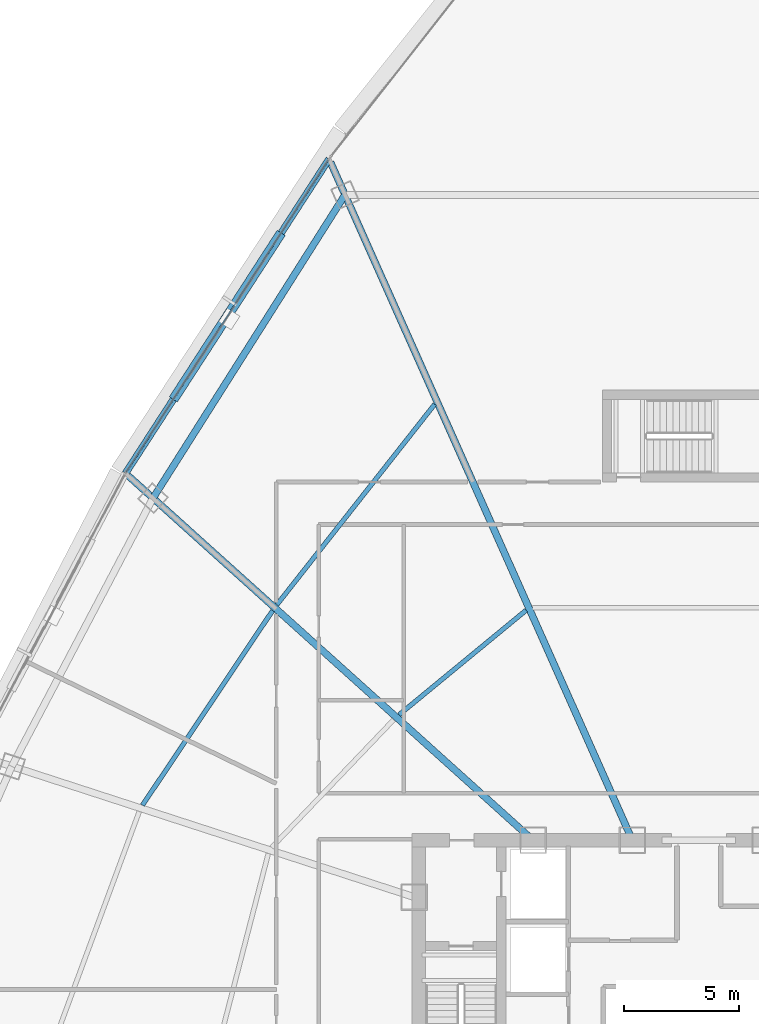
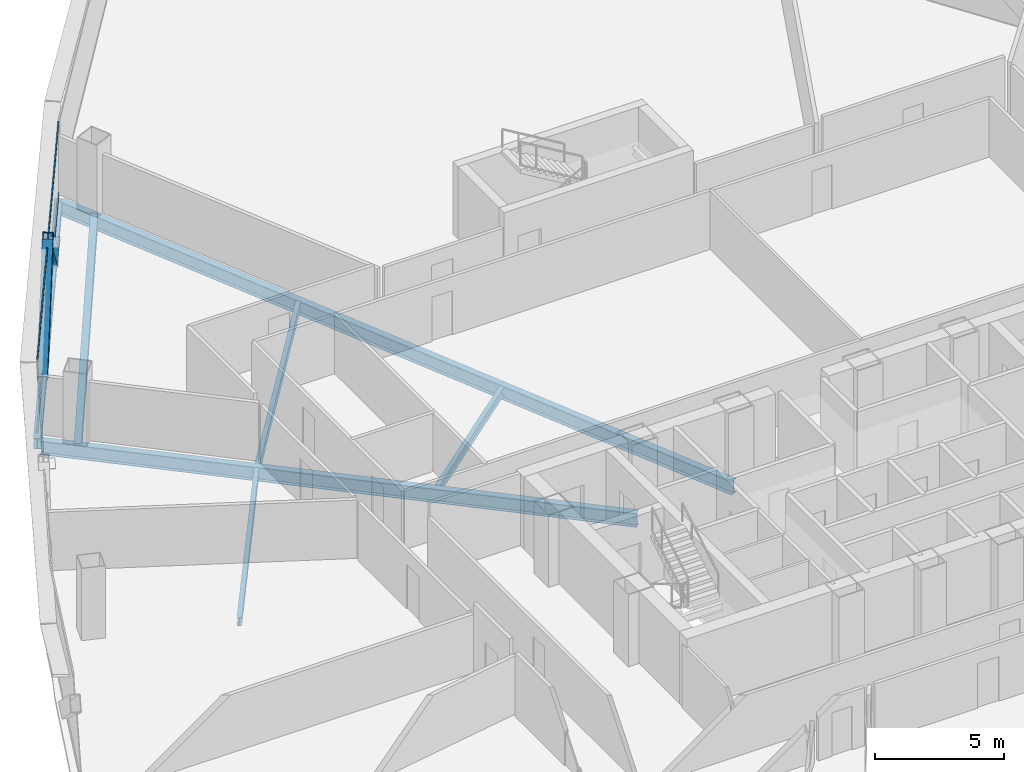
# One storey, part 17 of 39: 7 beams, 4 members, 1 element without a shape of its own.
"""IFC4 building model written with IfcOpenShell, lengths in metres."""

from ifc_helpers import new_model, si_unit, direction, frame, origin, origin_2d, place, context, subcontext, project, spatial, hollow_rectangle, i_section, extrude, source, transform, mapped, material, layer, layer_set, material_profile, profile_set, type_object, element, aggregate, save


model = new_model("IFC4")

# Units and contexts
model_context = context("Model", 3, precision=1e-05, world=origin(), true_north=direction((0.0, 1.0)))
body_context = subcontext(model_context, "Body", "Model", "MODEL_VIEW")
ifc_project = project(units=[si_unit("LENGTHUNIT", "METRE"), si_unit("AREAUNIT", "SQUARE_METRE"), si_unit("VOLUMEUNIT", "CUBIC_METRE"), si_unit("PLANEANGLEUNIT", "RADIAN"), si_unit("MASSUNIT", "GRAM", prefix="KILO"), si_unit("THERMODYNAMICTEMPERATUREUNIT", "KELVIN"), si_unit("POWERUNIT", "WATT")], contexts=[model_context])

# Site, building, storey
site_placement = place(None, origin())
site = spatial("IfcSite", under=ifc_project, at=site_placement, CompositionType="ELEMENT")
building_placement = place(site_placement, origin())
building = spatial("IfcBuilding", under=site, at=building_placement, Name="Yunzhuo Pagoda Commons", CompositionType="ELEMENT")
storey_placement = place(building_placement, frame((0.0, 0.0, 148.22998046875)))
storey = spatial("IfcBuildingStorey", under=building, at=storey_placement, Name="L37", CompositionType="ELEMENT", Elevation=148.22998046875)

# Beams
ifc_material_1 = material(Name="Structural steel Q355B", Category="steel")
ifc_material_profile_1 = material_profile(ifc_material_1, i_section(OverallWidth=0.199951171875, OverallDepth=0.39990234375, WebThickness=0.008056640625, FlangeThickness=0.012939453125, at=origin_2d()), Name="Structural steel Q355B")
ifc_profile_set_1 = profile_set([ifc_material_profile_1], Name="Structural steel Q355B")
beam_type_1 = type_object("IfcBeamType", Name="B-JS1 Joist HN 400x200x8x13", PredefinedType="JOIST", material=ifc_profile_set_1)
shared_shape_1 = source(origin(), body_context, "Body", "SweptSolid", [
    extrude(i_section(OverallWidth=0.199951171875, OverallDepth=0.39990234375, WebThickness=0.008056640625, FlangeThickness=0.012939453125, at=origin_2d()), origin(), (0.0, 0.0, 1.0), 10.186767578125),
])
beam_1_placement = place(storey_placement, frame((29.440673828125, 50.19921875, -0.459716796875), z_axis=(-0.555872145938, -0.831267801235, 0.0), x_axis=(0.831267801235, -0.555872145938, 0.0)))
element("IfcBeam", 1, at=beam_1_placement, inside=storey, type_object=beam_type_1, Name="L37 composite ring joist 2.10", PredefinedType="JOIST", context=body_context, shape_type="MappedRepresentation", body=[
    mapped(shared_shape_1, transform((0.0, 0.0, 0.0), scale=1.0)),
])
ifc_material_profile_2 = material_profile(ifc_material_1, i_section(OverallWidth=0.300048828125, OverallDepth=0.64990234375, WebThickness=0.012939453125, FlangeThickness=0.02197265625, at=origin_2d()), Name="Structural steel Q355B")
ifc_profile_set_2 = profile_set([ifc_material_profile_2], Name="Structural steel Q355B")
beam_type_2 = type_object("IfcBeamType", Name="B-RG2 Beam HN 650x300x13x22", PredefinedType="BEAM", material=ifc_profile_set_2)
shared_shape_2 = source(origin(), body_context, "Body", "SweptSolid", [
    extrude(i_section(OverallWidth=0.300048828125, OverallDepth=0.64990234375, WebThickness=0.012939453125, FlangeThickness=0.02197265625, at=origin_2d()), origin(), (0.0, 0.0, 1.0), 15.627685546875),
])
beam_2_placement = place(storey_placement, frame((32.593994140625, 68.302734375, -0.584716796875), z_axis=(-0.534952471728, -0.844882153316, 0.0), x_axis=(0.844882153316, -0.534952471728, 0.0)))
element("IfcBeam", 2, at=beam_2_placement, inside=storey, type_object=beam_type_2, Name="L37 column-ring beam 9", PredefinedType="BEAM", context=body_context, shape_type="MappedRepresentation", body=[
    mapped(shared_shape_2, transform((0.0, 0.0, 0.0), scale=1.0)),
])
shared_shape_3 = source(origin(), body_context, "Body", "SweptSolid", [
    extrude(i_section(OverallWidth=0.199951171875, OverallDepth=0.39990234375, WebThickness=0.008056640625, FlangeThickness=0.012939453125, at=origin_2d()), origin(), (0.0, 0.0, 1.0), 7.163818359375),
])
beam_3_placement = place(storey_placement, frame((40.47900390625, 50.21630859375, -0.459716796875), z_axis=(-0.772234119563, -0.635338071095, 0.0), x_axis=(0.635338071095, -0.772234119563, 0.0)))
element("IfcBeam", 3, at=beam_3_placement, inside=storey, type_object=beam_type_1, Name="L37 composite ring joist 1.9", PredefinedType="JOIST", context=body_context, shape_type="MappedRepresentation", body=[
    mapped(shared_shape_3, transform((0.0, 0.0, 0.0), scale=1.0)),
])
shared_shape_4 = source(origin(), body_context, "Body", "SweptSolid", [
    extrude(i_section(OverallWidth=0.199951171875, OverallDepth=0.39990234375, WebThickness=0.008056640625, FlangeThickness=0.012939453125, at=origin_2d()), origin(), (0.0, 0.0, 1.0), 11.109375),
])
beam_4_placement = place(storey_placement, frame((36.49951171875, 59.18505859375, -0.459716796875), z_axis=(-0.618600596935, -0.785705607382, 0.0), x_axis=(0.785705607382, -0.618600596935, 0.0)))
element("IfcBeam", 4, at=beam_4_placement, inside=storey, type_object=beam_type_1, Name="L37 composite ring joist 2.9", PredefinedType="JOIST", context=body_context, shape_type="MappedRepresentation", body=[
    mapped(shared_shape_4, transform((0.0, 0.0, 0.0), scale=1.0)),
])
shared_shape_5 = source(origin(), body_context, "Body", "SweptSolid", [
    extrude(i_section(OverallWidth=0.300048828125, OverallDepth=0.64990234375, WebThickness=0.012939453125, FlangeThickness=0.02197265625, at=origin_2d()), origin(), (0.0, 0.0, 1.0), 23.724365234375),
])
beam_5_placement = place(storey_placement, frame((23.150390625, 56.07470703125, -0.584716796875), z_axis=(0.74314317805, -0.669132436008, 0.0), x_axis=(0.669132436008, 0.74314317805, 0.0)))
element("IfcBeam", 5, at=beam_5_placement, inside=storey, type_object=beam_type_2, Name="L37 radial floor girder F3C2", PredefinedType="BEAM", context=body_context, shape_type="MappedRepresentation", body=[
    mapped(shared_shape_5, transform((0.0, 0.0, 0.0), scale=1.0)),
])
shared_shape_6 = source(origin(), body_context, "Body", "SweptSolid", [
    extrude(i_section(OverallWidth=0.300048828125, OverallDepth=0.64990234375, WebThickness=0.012939453125, FlangeThickness=0.02197265625, at=origin_2d()), origin(), (0.0, 0.0, 1.0), 32.3154296875),
])
beam_6_placement = place(storey_placement, frame((31.962158203125, 69.7216796875, -0.584716796875), z_axis=(0.406733504059, -0.913546855217, 0.0), x_axis=(0.913546855217, 0.406733504059, 0.0)))
element("IfcBeam", 6, at=beam_6_placement, inside=storey, type_object=beam_type_2, Name="L37 radial floor girder F3C1", PredefinedType="BEAM", context=body_context, shape_type="MappedRepresentation", body=[
    mapped(shared_shape_6, transform((0.0, 0.0, 0.0), scale=1.0)),
])
ifc_material_profile_3 = material_profile(ifc_material_1, i_section(OverallWidth=0.300048828125, OverallDepth=0.488037109375, WebThickness=0.010986328125, FlangeThickness=0.01806640625, at=origin_2d()), Name="Structural steel Q355B")
ifc_profile_set_3 = profile_set([ifc_material_profile_3], Name="Structural steel Q355B")
beam_type_3 = type_object("IfcBeamType", Name="B-SP1 Beam HM 488x300x11x18", PredefinedType="BEAM", material=ifc_profile_set_3)
shared_shape_7 = source(origin(), body_context, "Body", "SweptSolid", [
    extrude(i_section(OverallWidth=0.300048828125, OverallDepth=0.488037109375, WebThickness=0.010986328125, FlangeThickness=0.01806640625, at=origin_2d()), origin(), (0.0, 0.0, 1.0), 16.3046875),
])
beam_7_placement = place(storey_placement, frame((31.899169921875, 69.863037109375, -0.50390625), z_axis=(-0.543635534305, -0.839321396034, 0.0), x_axis=(0.839321396034, -0.543635534305, 0.0)))
element("IfcBeam", 7, at=beam_7_placement, inside=storey, type_object=beam_type_3, Name="L37 facade edge spandrel beam F3.1", PredefinedType="BEAM", context=body_context, shape_type="MappedRepresentation", body=[
    mapped(shared_shape_7, transform((0.0, 0.0, 0.0), scale=1.0)),
])

# Members
ifc_material_2 = material(Name="Structural steel Q420B", Category="steel")
ifc_material_profile_4 = material_profile(ifc_material_2, hollow_rectangle(XDim=0.419921875, YDim=0.719970703125, WallThickness=0.028076171875, at=origin_2d()), Name="Structural steel Q420B")
ifc_profile_set_4 = profile_set([ifc_material_profile_4], Name="Structural steel Q420B")
member_type_1 = type_object("IfcMemberType", Name="M-DL1 Brace BOX 720x420x28", PredefinedType="BRACE", material=ifc_profile_set_4)
shared_shape_8 = source(origin(), body_context, "Body", "SweptSolid", [
    extrude(hollow_rectangle(XDim=0.419921875, YDim=0.719970703125, WallThickness=0.028076171875, at=origin_2d()), origin(), (0.0, 0.0, 1.0), 5.49169921875),
])
member_1_placement = place(storey_placement, frame((29.683349609375, 66.442138671875, -0.260009765625), z_axis=(-0.403530062256, -0.623010938906, 0.670090187108), x_axis=(0.839321007471, -0.54363613421, 0.0)))
element("IfcMember", 8, at=member_1_placement, inside=storey, type_object=member_type_1, Name="L37 facade diamond brace F3.1L", PredefinedType="BRACE", context=body_context, shape_type="MappedRepresentation", body=[
    mapped(shared_shape_8, transform((0.0, 0.0, 0.0), scale=1.0)),
])
shared_shape_9 = source(origin(), body_context, "Body", "SweptSolid", [
    extrude(hollow_rectangle(XDim=0.419921875, YDim=0.719970703125, WallThickness=0.028076171875, at=origin_2d()), origin(), (0.0, 0.0, 1.0), 5.491455078125),
])
member_2_placement = place(storey_placement, frame((25.251220703125, 59.599609375, -0.260009765625), z_axis=(0.403541238803, 0.622983736846, 0.670108746555), x_axis=(-0.839303305755, 0.543663462952, 0.0)))
element("IfcMember", 9, at=member_2_placement, inside=storey, type_object=member_type_1, Name="L37 facade diamond brace F3.1R", PredefinedType="BRACE", context=body_context, shape_type="MappedRepresentation", body=[
    mapped(shared_shape_9, transform((0.0, 0.0, 0.0), scale=1.0)),
])

# Curtain wall, members
ifc_material_3 = material(Name="Anodized aluminium 6063-T6", Category="aluminium")
ifc_layer = layer(ifc_material_3, 0.14990234375)
ifc_layer_set = layer_set([ifc_layer], Name="Anodized aluminium 6063-T6")
curtain_wall_type = type_object("IfcCurtainWallType", Name="CW-MID Mid-Zone Ribbon Curtain Wall", PredefinedType="NOTDEFINED", material=ifc_layer_set)
curtain_wall_placement = place(storey_placement, origin())
curtain_wall = element("IfcCurtainWall", 10, at=curtain_wall_placement, inside=storey, type_object=curtain_wall_type, Name="L37 curtain wall CW-L37-F3B2", PredefinedType="NOTDEFINED")
ifc_material_profile_5 = material_profile(ifc_material_3, hollow_rectangle(XDim=0.054931640625, YDim=0.1298828125, WallThickness=0.00341796875, at=origin_2d()), Name="Anodized aluminium 6063-T6")
ifc_profile_set_5 = profile_set([ifc_material_profile_5], Name="Anodized aluminium 6063-T6")
member_type_2 = type_object("IfcMemberType", Name="CW-MID-T Transom RHS 130x55x3.5", PredefinedType="USERDEFINED", material=ifc_profile_set_5)
shared_shape_10 = source(origin(), body_context, "Body", "SweptSolid", [
    extrude(hollow_rectangle(XDim=0.054931640625, YDim=0.1298828125, WallThickness=0.00341796875, at=origin_2d()), origin(), (0.0, 0.0, 1.0), 16.1845703125),
])
member_3_placement = place(storey_placement, frame((31.866455078125, 69.812744140625, 0.027587890625), z_axis=(-0.543640885625, -0.839317929915, 0.0), x_axis=(0.839317929915, -0.543640885625, 0.0)))
member_3 = element("IfcMember", 11, at=member_3_placement, type_object=member_type_2, Name="CW transom 1.1", ObjectType="TRANSOM", PredefinedType="USERDEFINED", context=body_context, shape_type="MappedRepresentation", body=[
    mapped(shared_shape_10, transform((0.0, 0.0, 0.0), scale=1.0)),
])
member_4_placement = place(storey_placement, frame((31.866455078125, 69.812744140625, 3.392578125), z_axis=(-0.543640885625, -0.839317929915, 0.0), x_axis=(0.839317929915, -0.543640885625, 0.0)))
member_4 = element("IfcMember", 12, at=member_4_placement, type_object=member_type_2, Name="CW transom 1.2", ObjectType="TRANSOM", PredefinedType="USERDEFINED", context=body_context, shape_type="MappedRepresentation", body=[
    mapped(shared_shape_10, transform((0.0, 0.0, 0.0), scale=1.0)),
])
aggregate(curtain_wall, [member_3, member_4])

save(model, "model.ifc")
